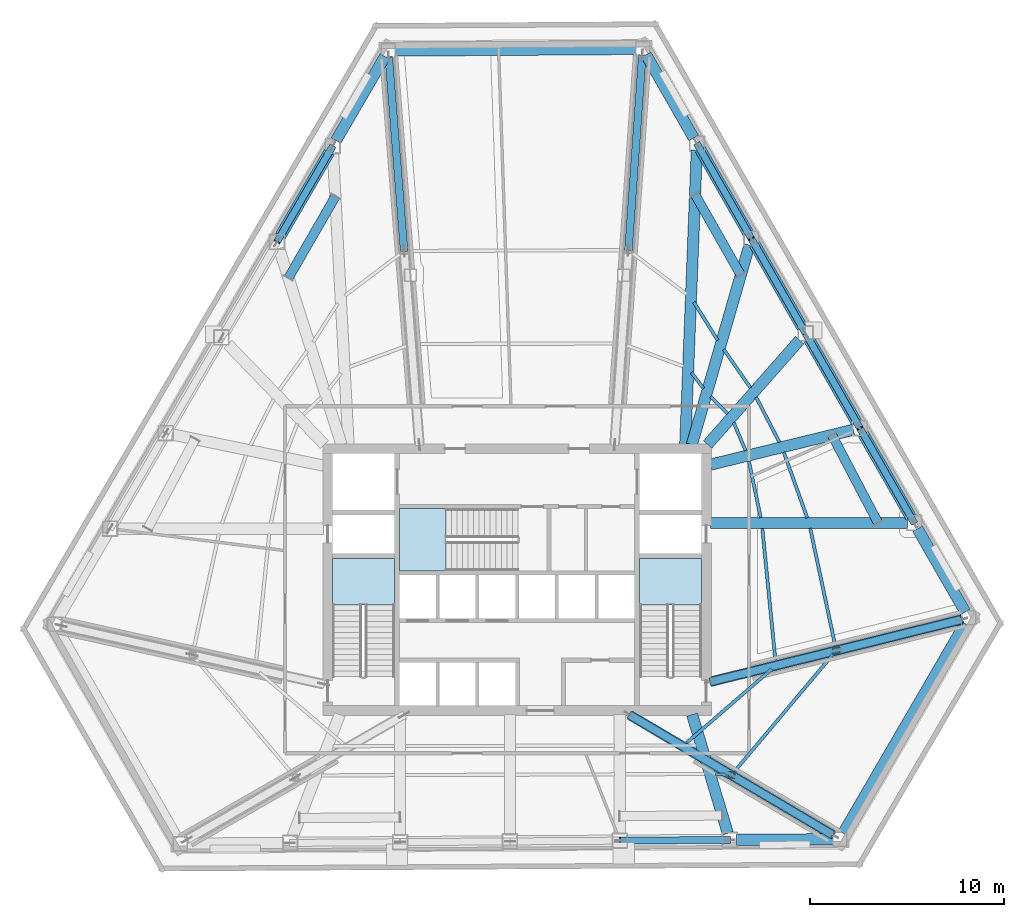
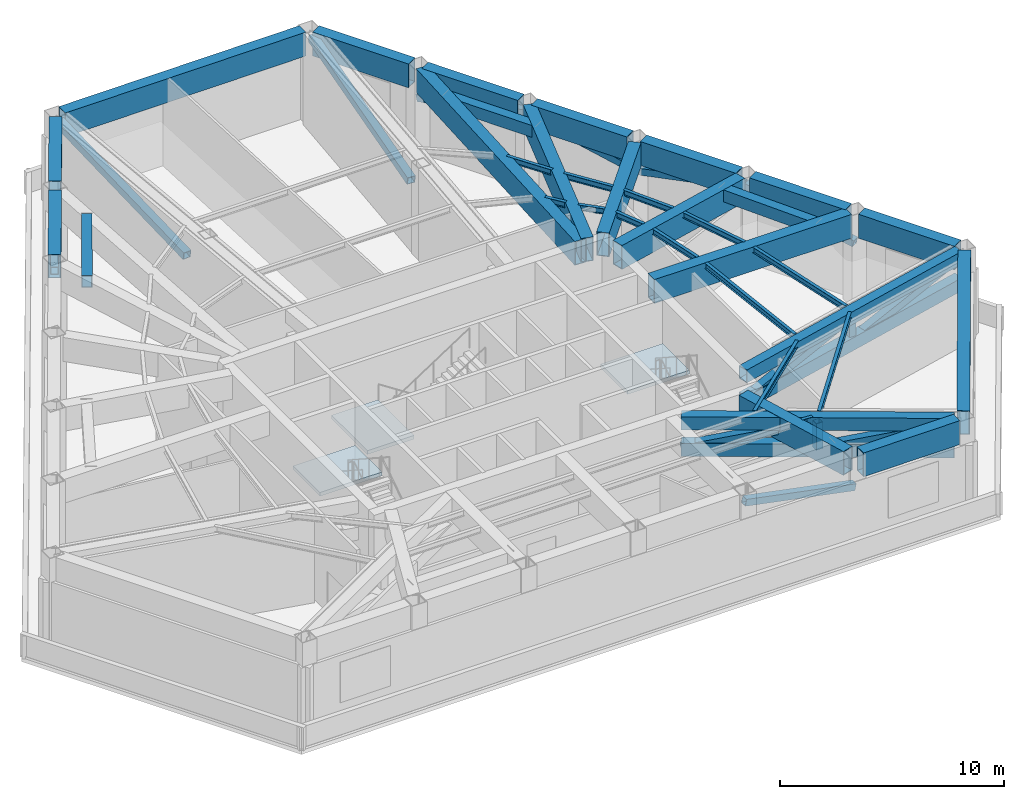
# One storey, part 3 of 12: 37 beams, 14 members, 3 slabs, 3 elements without a shape of their own.
"""IFC4 building model written with IfcOpenShell, lengths in metres."""

import ifcopenshell
import ifcopenshell.guid

model = None  # the IFC model being written
_history = None  # IfcOwnerHistory: only IFC2X3 demands one
_inside = {}  # id of a spatial element -> (the spatial element, [elements in it])
_under = {}  # id of a project, library or spatial element -> (it, [spatial elements below it])
_declared = {}  # id of a project -> (the project, [libraries it declares])
_typed = {}  # id of a type object -> (the type object, [elements of that type])
_made_of = {}  # id of a material, layer set ... -> (it, [elements and type objects made of it])


def new_model(schema):
    """Start an empty IFC model of exactly this schema.

    Asked for "IFC4X3", IfcOpenShell would pick the latest addendum, in which some entities
    have other attributes; the version numbers below select the first issue.
    IFC2X3 requires an IfcOwnerHistory on every rooted entity: one is made here for all.
    """
    global model, _history
    if schema == "IFC4X3":
        model = ifcopenshell.file(schema_version=(4, 3, 0, 0))
    else:
        model = ifcopenshell.file(schema=schema)
    _inside.clear()
    _under.clear()
    _declared.clear()
    _typed.clear()
    _made_of.clear()
    _history = None
    if model.schema == "IFC2X3":
        org = make("IfcOrganization", Name="unknown")
        user = make(
            "IfcPersonAndOrganization",
            ThePerson=make("IfcPerson", FamilyName="unknown"),
            TheOrganization=org,
        )
        app = make(
            "IfcApplication",
            ApplicationDeveloper=org,
            Version="unknown",
            ApplicationFullName="unknown",
            ApplicationIdentifier="unknown",
        )
        _history = make(
            "IfcOwnerHistory",
            OwningUser=user,
            OwningApplication=app,
            ChangeAction="ADDED",
            CreationDate=0,
        )
    return model


def make(cls, **values):
    """One entity of the class cls with the attributes given. An attribute that is None is left unset."""
    return model.create_entity(
        cls, **{name: value for name, value in values.items() if value is not None}
    )


def rooted(cls, **values):
    """An entity with a GlobalId (a new one), such as an element, a storey or a relation."""
    return make(cls, GlobalId=ifcopenshell.guid.new(), OwnerHistory=_history, **values)


def si_unit(unit_type, name, prefix=None):
    """IfcSIUnit, for example si_unit("LENGTHUNIT", "METRE", prefix="MILLI")."""
    return make("IfcSIUnit", UnitType=unit_type, Prefix=prefix, Name=name)


def assignment(units):
    """IfcUnitAssignment: the units of a project."""
    return None if units is None else make("IfcUnitAssignment", Units=units)


def point(xyz):
    """IfcCartesianPoint."""
    return None if xyz is None else make("IfcCartesianPoint", Coordinates=xyz)


def direction(xyz):
    """IfcDirection."""
    return None if xyz is None else make("IfcDirection", DirectionRatios=xyz)


def frame(location, z_axis=None, x_axis=None):
    """IfcAxis2Placement3D, a coordinate frame: its origin and axes. An axis left out is left unset."""
    return make(
        "IfcAxis2Placement3D",
        Location=point(location),
        Axis=direction(z_axis),
        RefDirection=direction(x_axis),
    )


def frame_2d(location, x_axis=None):
    """IfcAxis2Placement2D, a coordinate frame in the plane: its origin and x axis."""
    return make(
        "IfcAxis2Placement2D", Location=point(location), RefDirection=direction(x_axis)
    )


def origin():
    """The frame at (0, 0, 0) with its axes left unset."""
    return frame((0.0, 0.0, 0.0))


def origin_2d():
    """The frame at (0, 0) in the plane with its x axis left unset."""
    return frame_2d((0.0, 0.0))


def place(relative_to, where):
    """IfcLocalPlacement: puts the frame where relative to a parent placement (None: the world)."""
    return make(
        "IfcLocalPlacement", PlacementRelTo=relative_to, RelativePlacement=where
    )


def context(
    kind, dimensions, precision=None, world=None, true_north=None, identifier=None
):
    """IfcGeometricRepresentationContext, for example the 3D "Model" context."""
    return make(
        "IfcGeometricRepresentationContext",
        ContextIdentifier=identifier,
        ContextType=kind,
        CoordinateSpaceDimension=dimensions,
        Precision=precision,
        WorldCoordinateSystem=world,
        TrueNorth=true_north,
    )


def subcontext(parent, identifier, kind, view, scale=None):
    """IfcGeometricRepresentationSubContext, for example "Body" below "Model"."""
    return make(
        "IfcGeometricRepresentationSubContext",
        ContextIdentifier=identifier,
        ContextType=kind,
        ParentContext=parent,
        TargetScale=scale,
        TargetView=view,
    )


def project(units=None, contexts=None):
    """IfcProject with its units and contexts."""
    return rooted(
        "IfcProject",
        Name="project",
        RepresentationContexts=contexts,
        UnitsInContext=assignment(units),
    )


def spatial(cls, under=None, at=None, **own):
    """A site, building, storey or space (cls), placed at a placement, below another one or the project."""
    s = rooted(cls, ObjectPlacement=at, **own)
    if under is not None:
        _under.setdefault(under.id(), (under, []))[1].append(s)
    return s


def polyline(points):
    """IfcPolyline through the points."""
    return make("IfcPolyline", Points=[point(p) for p in points])


def profile(cls, at=None, kind="AREA", **sizes):
    """A parametric profile (cls). Its sizes go by their IFC names, for example OverallWidth=200.0."""
    return make(cls, ProfileType=kind, Position=at, **sizes)


def hollow_rectangle(**sizes):
    """IfcRectangleHollowProfileDef."""
    return profile("IfcRectangleHollowProfileDef", **sizes)


def i_section(**sizes):
    """IfcIShapeProfileDef."""
    return profile("IfcIShapeProfileDef", **sizes)


def outline(outer, holes=None, kind="AREA"):
    """IfcArbitraryClosedProfileDef: a profile drawn as a closed curve; with holes, ...WithVoids."""
    if holes is None:
        return make("IfcArbitraryClosedProfileDef", ProfileType=kind, OuterCurve=outer)
    return make(
        "IfcArbitraryProfileDefWithVoids",
        ProfileType=kind,
        OuterCurve=outer,
        InnerCurves=holes,
    )


def extrude(swept, where, along, depth):
    """IfcExtrudedAreaSolid: the profile swept, set in the frame where, extruded along a direction by depth."""
    return make(
        "IfcExtrudedAreaSolid",
        SweptArea=swept,
        Position=where,
        ExtrudedDirection=direction(along),
        Depth=depth,
    )


def shape(context_of_items, identifier, shape_type, items):
    """IfcShapeRepresentation: the items that make up one representation, for example the "Body"."""
    return make(
        "IfcShapeRepresentation",
        ContextOfItems=context_of_items,
        RepresentationIdentifier=identifier,
        RepresentationType=shape_type,
        Items=items,
    )


def material(Name=None, Category=None):
    """IfcMaterial."""
    return make("IfcMaterial", Name=Name, Category=Category)


def layer(
    of_material, thickness, ventilated=None, Name=None, Category=None, Priority=None
):
    """IfcMaterialLayer: one layer of a wall or slab, of a material (None: an air gap)."""
    return make(
        "IfcMaterialLayer",
        Material=of_material,
        LayerThickness=thickness,
        IsVentilated=ventilated,
        Name=Name,
        Category=Category,
        Priority=Priority,
    )


def layer_set(layers, Name=None):
    """IfcMaterialLayerSet."""
    return make("IfcMaterialLayerSet", MaterialLayers=layers, LayerSetName=Name)


def material_profile(
    of_material, cross_section, Name=None, Category=None, Priority=None
):
    """IfcMaterialProfile: a cross section and its material."""
    return make(
        "IfcMaterialProfile",
        Name=Name,
        Material=of_material,
        Profile=cross_section,
        Priority=Priority,
        Category=Category,
    )


def profile_set(profiles, Name=None, composite=None):
    """IfcMaterialProfileSet."""
    return make(
        "IfcMaterialProfileSet",
        Name=Name,
        MaterialProfiles=profiles,
        CompositeProfile=composite,
    )


def made_of(thing, what):
    """Note that an element or type object is made of a material, layer set ...; save() writes the relation."""
    if what is not None:
        _made_of.setdefault(what.id(), (what, []))[1].append(thing)
    return thing


def type_object(cls, material=None, **own):
    """A type object (cls), such as IfcWallType, which elements share."""
    return made_of(rooted(cls, **own), material)


def element(
    cls,
    number,
    at=None,
    inside=None,
    cuts=None,
    type_object=None,
    material=None,
    context=None,
    identifier="Body",
    shape_type=None,
    held_by="IfcProductDefinitionShape",
    body=None,
    shapes=None,
    **own,
):
    """One element of the class cls, such as IfcWall. Its Tag is "e" and its number.

    at: its placement. inside: the storey or other place that contains it. cuts: it is an
    opening in that element (IfcRelVoidsElement). A single representation is given by context,
    identifier, shape_type and body (its items); several are given by shapes. held_by: the class
    of the entity that holds the representations. save() writes the other relations.
    """
    e = rooted(cls, Tag="e%d" % number, ObjectPlacement=at, **own)
    if body is not None:
        shapes = [shape(context, identifier, shape_type, body)]
    if shapes is not None:
        e.Representation = make(held_by, Representations=shapes)
    if inside is not None:
        _inside.setdefault(inside.id(), (inside, []))[1].append(e)
    if cuts is not None:
        rooted(
            "IfcRelVoidsElement", RelatingBuildingElement=cuts, RelatedOpeningElement=e
        )
    if type_object is not None:
        _typed.setdefault(type_object.id(), (type_object, []))[1].append(e)
    return made_of(e, material)


def aggregate(whole, parts):
    """IfcRelAggregates: a whole, such as a stair, and the parts it consists of."""
    return rooted("IfcRelAggregates", RelatingObject=whole, RelatedObjects=parts)


def save(model, path):
    """Write the relations noted so far, then the file.

    IfcRelAggregates (storeys below a building ...), IfcRelContainedInSpatialStructure (elements
    in a storey), IfcRelDefinesByType, IfcRelAssociatesMaterial and IfcRelDeclares: one each for
    every whole, place, type object, material and project.
    """
    for whole, parts in _under.values():
        aggregate(whole, parts)
    for where, things in _inside.values():
        rooted(
            "IfcRelContainedInSpatialStructure",
            RelatedElements=things,
            RelatingStructure=where,
        )
    for kind, things in _typed.values():
        rooted("IfcRelDefinesByType", RelatedObjects=things, RelatingType=kind)
    for what, things in _made_of.values():
        rooted("IfcRelAssociatesMaterial", RelatedObjects=things, RelatingMaterial=what)
    for by, libraries in _declared.values():
        rooted("IfcRelDeclares", RelatingContext=by, RelatedDefinitions=libraries)
    model.write(path)


model = new_model("IFC4")

# Units and contexts
model_context = context("Model", 3, precision=1e-05, world=origin(), true_north=direction((0.0, 1.0)))
body_context = subcontext(model_context, "Body", "Model", "MODEL_VIEW")
ifc_project = project(units=[si_unit("LENGTHUNIT", "METRE"), si_unit("AREAUNIT", "SQUARE_METRE"), si_unit("VOLUMEUNIT", "CUBIC_METRE"), si_unit("PLANEANGLEUNIT", "RADIAN"), si_unit("MASSUNIT", "GRAM", prefix="KILO")], contexts=[model_context])

# Site, building, storey
site_placement = place(None, origin())
site = spatial("IfcSite", under=ifc_project, at=site_placement, CompositionType="ELEMENT")
building_placement = place(site_placement, origin())
building = spatial("IfcBuilding", under=site, at=building_placement, Name="Kavelnor Concourse Tower", CompositionType="ELEMENT")
storey_placement = place(building_placement, frame((0.0, 0.0, 75.300048828125)))
storey = spatial("IfcBuildingStorey", under=building, at=storey_placement, Name="L19", CompositionType="ELEMENT", Elevation=75.300048828125)

# Beams
ifc_material_1 = material(Name="Steel Grade 350", Category="steel")
ifc_material_profile_1 = material_profile(ifc_material_1, hollow_rectangle(XDim=0.47998046875, YDim=0.64990234375, WallThickness=0.030029296875, at=origin_2d()), Name="RHS 650x480x30")
ifc_profile_set_1 = profile_set([ifc_material_profile_1], Name="Steel Grade 350")
beam_type_1 = type_object("IfcBeamType", Name="BM-BELT-CHORD-650", PredefinedType="BEAM", material=ifc_profile_set_1)
beam_1_placement = place(storey_placement, frame((28.624267578125, 35.858154296875, 4.659912109375), z_axis=(-0.499303117258, -0.866427375547, 0.0), x_axis=(0.866427375547, -0.499303117258, 0.0)))
element("IfcBeam", 1, at=beam_1_placement, inside=storey, type_object=beam_type_1, Name="L19 Perimeter Belt Truss Chord F0-B1", PredefinedType="BEAM", context=body_context, shape_type="SweptSolid", body=[
    extrude(hollow_rectangle(XDim=0.47998046875, YDim=0.64990234375, WallThickness=0.030029296875, at=origin_2d()), origin(), (0.0, 0.0, 1.0), 4.83935546875),
])
beam_2_placement = place(storey_placement, frame((56.62255859375, 19.025634765625, 4.659912109375), z_axis=(-0.464774137786, 0.885429274897, 0.0), x_axis=(-0.885429274897, -0.464774137786, 0.0)))
element("IfcBeam", 2, at=beam_2_placement, inside=storey, type_object=beam_type_1, Name="L19 Perimeter Belt Truss Chord F2-B1", PredefinedType="BEAM", context=body_context, shape_type="SweptSolid", body=[
    extrude(hollow_rectangle(XDim=0.47998046875, YDim=0.64990234375, WallThickness=0.030029296875, at=origin_2d()), origin(), (0.0, 0.0, 1.0), 5.124267578125),
])
beam_3_placement = place(storey_placement, frame((49.5400390625, 31.811279296875, 4.659912109375), z_axis=(-0.493496952061, 0.869747525611, 0.0), x_axis=(-0.869747525611, -0.493496952061, 0.0)))
element("IfcBeam", 3, at=beam_3_placement, inside=storey, type_object=beam_type_1, Name="L19 Perimeter Belt Truss Chord F2-B4", PredefinedType="BEAM", context=body_context, shape_type="SweptSolid", body=[
    extrude(hollow_rectangle(XDim=0.47998046875, YDim=0.64990234375, WallThickness=0.030029296875, at=origin_2d()), origin(), (0.0, 0.0, 1.0), 4.781005859375),
])
ifc_material_profile_2 = material_profile(ifc_material_1, i_section(OverallWidth=0.166015625, OverallDepth=0.306884765625, WebThickness=0.006591796875, FlangeThickness=0.01171875, at=origin_2d()), Name="310UB46")
ifc_profile_set_2 = profile_set([ifc_material_profile_2], Name="Steel Grade 350")
beam_type_2 = type_object("IfcBeamType", Name="BM-JOIST-310", PredefinedType="JOIST", material=ifc_profile_set_2)
beam_4_placement = place(storey_placement, frame((48.233642578125, 6.0634765625, 4.83154296875), z_axis=(0.998614066756, -0.052630273396, 0.0), x_axis=(0.052630273396, 0.998614066756, 0.0)))
element("IfcBeam", 4, at=beam_4_placement, inside=storey, type_object=beam_type_2, Name="L19 Secondary Composite Joist 07-2", PredefinedType="JOIST", context=body_context, shape_type="SweptSolid", body=[
    extrude(i_section(OverallWidth=0.166015625, OverallDepth=0.306884765625, WebThickness=0.006591796875, FlangeThickness=0.01171875, at=origin_2d()), origin(), (0.0, 0.0, 1.0), 0.5380859375),
])
beam_5_placement = place(storey_placement, frame((46.752685546875, 7.694091796875, 4.83154296875), z_axis=(0.756443139434, 0.654059459685, 0.0), x_axis=(-0.654059459685, 0.756443139434, 0.0)))
element("IfcBeam", 5, at=beam_5_placement, inside=storey, type_object=beam_type_2, Name="L19 Secondary Composite Joist 08-1", PredefinedType="JOIST", context=body_context, shape_type="SweptSolid", body=[
    extrude(i_section(OverallWidth=0.166015625, OverallDepth=0.306884765625, WebThickness=0.006591796875, FlangeThickness=0.01171875, at=origin_2d()), origin(), (0.0, 0.0, 1.0), 5.796875),
])
beam_6_placement = place(storey_placement, frame((49.23779296875, 6.237548828125, 4.83154296875), z_axis=(0.644221205949, 0.764839223501, 0.0), x_axis=(-0.764839223501, 0.644221205949, 0.0)))
element("IfcBeam", 6, at=beam_6_placement, inside=storey, type_object=beam_type_2, Name="L19 Secondary Composite Joist 08-2", PredefinedType="JOIST", context=body_context, shape_type="SweptSolid", body=[
    extrude(i_section(OverallWidth=0.166015625, OverallDepth=0.306884765625, WebThickness=0.006591796875, FlangeThickness=0.01171875, at=origin_2d()), origin(), (0.0, 0.0, 1.0), 7.8291015625),
])
beam_7_placement = place(storey_placement, frame((51.324462890625, 11.953857421875, 4.83154296875), z_axis=(-0.098621473426, 0.995125019774, 0.0), x_axis=(-0.995125019774, -0.098621473426, 0.0)))
element("IfcBeam", 7, at=beam_7_placement, inside=storey, type_object=beam_type_2, Name="L19 Secondary Composite Joist 09-1", PredefinedType="JOIST", context=body_context, shape_type="SweptSolid", body=[
    extrude(i_section(OverallWidth=0.166015625, OverallDepth=0.306884765625, WebThickness=0.006591796875, FlangeThickness=0.01171875, at=origin_2d()), origin(), (0.0, 0.0, 1.0), 6.822509765625),
])
beam_8_placement = place(storey_placement, frame((54.4052734375, 12.720703125, 4.83154296875), z_axis=(-0.208086675943, 0.978110390138, 0.0), x_axis=(-0.978110390138, -0.208086675943, 0.0)))
element("IfcBeam", 8, at=beam_8_placement, inside=storey, type_object=beam_type_2, Name="L19 Secondary Composite Joist 09-2", PredefinedType="JOIST", context=body_context, shape_type="SweptSolid", body=[
    extrude(i_section(OverallWidth=0.166015625, OverallDepth=0.306884765625, WebThickness=0.006591796875, FlangeThickness=0.01171875, at=origin_2d()), origin(), (0.0, 0.0, 1.0), 6.161865234375),
])
beam_9_placement = place(storey_placement, frame((50.5654296875, 19.3037109375, 4.83154296875), z_axis=(-0.204970754982, 0.978768097969, 0.0), x_axis=(-0.978768097969, -0.204970754982, 0.0)))
element("IfcBeam", 9, at=beam_9_placement, inside=storey, type_object=beam_type_2, Name="L19 Secondary Composite Joist 10-1", PredefinedType="JOIST", context=body_context, shape_type="SweptSolid", body=[
    extrude(i_section(OverallWidth=0.166015625, OverallDepth=0.306884765625, WebThickness=0.006591796875, FlangeThickness=0.01171875, at=origin_2d()), origin(), (0.0, 0.0, 1.0), 2.982421875),
])
beam_10_placement = place(storey_placement, frame((52.968017578125, 19.29296875, 4.83154296875), z_axis=(-0.337411160953, 0.94135737553, 0.0), x_axis=(-0.94135737553, -0.337411160953, 0.0)))
element("IfcBeam", 10, at=beam_10_placement, inside=storey, type_object=beam_type_2, Name="L19 Secondary Composite Joist 10-2", PredefinedType="JOIST", context=body_context, shape_type="SweptSolid", body=[
    extrude(i_section(OverallWidth=0.166015625, OverallDepth=0.306884765625, WebThickness=0.006591796875, FlangeThickness=0.01171875, at=origin_2d()), origin(), (0.0, 0.0, 1.0), 3.582275390625),
])
beam_11_placement = place(storey_placement, frame((49.785400390625, 22.76220703125, 4.83154296875), z_axis=(-0.389619711039, 0.92097583072, 0.0), x_axis=(-0.92097583072, -0.389619711039, 0.0)))
element("IfcBeam", 11, at=beam_11_placement, inside=storey, type_object=beam_type_2, Name="L19 Secondary Composite Joist 11-1", PredefinedType="JOIST", context=body_context, shape_type="SweptSolid", body=[
    extrude(i_section(OverallWidth=0.166015625, OverallDepth=0.306884765625, WebThickness=0.006591796875, FlangeThickness=0.01171875, at=origin_2d()), origin(), (0.0, 0.0, 1.0), 1.57080078125),
])
beam_12_placement = place(storey_placement, frame((51.533203125, 23.18505859375, 4.83154296875), z_axis=(-0.45863104006, 0.888626788418, 0.0), x_axis=(-0.888626788418, -0.45863104006, 0.0)))
element("IfcBeam", 12, at=beam_12_placement, inside=storey, type_object=beam_type_2, Name="L19 Secondary Composite Joist 11-2", PredefinedType="JOIST", context=body_context, shape_type="SweptSolid", body=[
    extrude(i_section(OverallWidth=0.166015625, OverallDepth=0.306884765625, WebThickness=0.006591796875, FlangeThickness=0.01171875, at=origin_2d()), origin(), (0.0, 0.0, 1.0), 2.617431640625),
])
beam_13_placement = place(storey_placement, frame((48.861083984375, 24.670654296875, 4.83154296875), z_axis=(-0.709582102419, 0.704622764269, 0.0), x_axis=(-0.704622764269, -0.709582102419, 0.0)))
element("IfcBeam", 13, at=beam_13_placement, inside=storey, type_object=beam_type_2, Name="L19 Secondary Composite Joist 12-1", PredefinedType="JOIST", context=body_context, shape_type="SweptSolid", body=[
    extrude(i_section(OverallWidth=0.166015625, OverallDepth=0.306884765625, WebThickness=0.006591796875, FlangeThickness=0.01171875, at=origin_2d()), origin(), (0.0, 0.0, 1.0), 1.230712890625),
])
beam_14_placement = place(storey_placement, frame((50.040283203125, 25.996337890625, 4.83154296875), z_axis=(-0.571497405297, 0.820603872608, 0.0), x_axis=(-0.820603872608, -0.571497405297, 0.0)))
element("IfcBeam", 14, at=beam_14_placement, inside=storey, type_object=beam_type_2, Name="L19 Secondary Composite Joist 12-2", PredefinedType="JOIST", context=body_context, shape_type="SweptSolid", body=[
    extrude(i_section(OverallWidth=0.166015625, OverallDepth=0.306884765625, WebThickness=0.006591796875, FlangeThickness=0.01171875, at=origin_2d()), origin(), (0.0, 0.0, 1.0), 2.411865234375),
])
beam_15_placement = place(storey_placement, frame((47.615234375, 25.96484375, 4.83154296875), z_axis=(-0.601792892962, 0.798652185861, 0.0), x_axis=(-0.798652185861, -0.601792892962, 0.0)))
element("IfcBeam", 15, at=beam_15_placement, inside=storey, type_object=beam_type_2, Name="L19 Secondary Composite Joist 13-1", PredefinedType="JOIST", context=body_context, shape_type="SweptSolid", body=[
    extrude(i_section(OverallWidth=0.166015625, OverallDepth=0.306884765625, WebThickness=0.006591796875, FlangeThickness=0.01171875, at=origin_2d()), origin(), (0.0, 0.0, 1.0), 1.023193359375),
])
beam_16_placement = place(storey_placement, frame((48.34912109375, 28.449462890625, 4.83154296875), z_axis=(-0.529904146974, 0.848057542281, 0.0), x_axis=(-0.848057542281, -0.529904146974, 0.0)))
element("IfcBeam", 16, at=beam_16_placement, inside=storey, type_object=beam_type_2, Name="L19 Secondary Composite Joist 13-2", PredefinedType="JOIST", context=body_context, shape_type="SweptSolid", body=[
    extrude(i_section(OverallWidth=0.166015625, OverallDepth=0.306884765625, WebThickness=0.006591796875, FlangeThickness=0.01171875, at=origin_2d()), origin(), (0.0, 0.0, 1.0), 2.315185546875),
])
ifc_material_profile_3 = material_profile(ifc_material_1, hollow_rectangle(XDim=0.5, YDim=0.699951171875, WallThickness=0.031982421875, at=origin_2d()), Name="RHS 700x500x32")
ifc_profile_set_3 = profile_set([ifc_material_profile_3], Name="Steel Grade 350")
beam_type_3 = type_object("IfcBeamType", Name="BM-OUTRIG-CHORD-700", PredefinedType="BEAM", material=ifc_profile_set_3)
for number, where, z_axis, x_axis, name in (
    (17, (43.811279296875, 9.120361328125, 3.179931640625), (0.86080282492, -0.508938598074, 0.0), (0.508938598074, 0.86080282492, 0.0), "L19 Outrigger Truss Bottom Chord F1B"),
    (18, (43.811279296875, 9.120361328125, 4.625), (0.86080282492, -0.508938598074, 0.0), (0.508938598074, 0.86080282492, 0.0), "L19 Outrigger Truss Top Chord F1B"),
):
    element("IfcBeam", number, at=place(storey_placement, frame(where, z_axis=z_axis, x_axis=x_axis)), inside=storey, type_object=beam_type_3, Name=name, PredefinedType="BEAM", context=body_context, shape_type="SweptSolid", body=[
        extrude(hollow_rectangle(XDim=0.5, YDim=0.699951171875, WallThickness=0.031982421875, at=origin_2d()), origin(), (0.0, 0.0, 1.0), 12.1826171875),
    ])
for number, where, z_axis, x_axis, name in (
    (19, (47.981201171875, 10.835205078125, 3.179931640625), (0.97060405518, 0.240681881469, 0.0), (-0.240681881469, 0.97060405518, 0.0), "L19 Outrigger Truss Bottom Chord F2A"),
    (20, (47.981201171875, 10.835205078125, 4.625), (0.97060405518, 0.240681881469, 0.0), (-0.240681881469, 0.97060405518, 0.0), "L19 Outrigger Truss Top Chord F2A"),
):
    element("IfcBeam", number, at=place(storey_placement, frame(where, z_axis=z_axis, x_axis=x_axis)), inside=storey, type_object=beam_type_3, Name=name, PredefinedType="BEAM", context=body_context, shape_type="SweptSolid", body=[
        extrude(hollow_rectangle(XDim=0.5, YDim=0.699951171875, WallThickness=0.031982421875, at=origin_2d()), origin(), (0.0, 0.0, 1.0), 13.359375),
    ])
ifc_material_profile_4 = material_profile(ifc_material_1, hollow_rectangle(XDim=0.580078125, YDim=1.300048828125, WallThickness=0.0400390625, at=origin_2d()), Name="RHS 1300x580x40")
ifc_profile_set_4 = profile_set([ifc_material_profile_4], Name="Steel Grade 350")
beam_type_4 = type_object("IfcBeamType", Name="BM-SETBACK-XFER-1350", PredefinedType="BEAM", material=ifc_profile_set_4)
for number, where, z_axis, x_axis, name in (
    (21, (31.181396484375, 43.08984375, 4.3349609375), (-0.502938540526, -0.864322176305, 0.0), (0.864322176305, -0.502938540526, 0.0), "L19 Perimeter Tube Spandrel Beam F0-B0"),
    (22, (28.31201171875, 38.158447265625, 4.3349609375), (-0.502996065541, -0.864288700638, 0.0), (0.864288700638, -0.502996065541, 0.0), "L19 Perimeter Tube Spandrel Beam F0-B1"),
):
    element("IfcBeam", number, at=place(storey_placement, frame(where, z_axis=z_axis, x_axis=x_axis)), inside=storey, type_object=beam_type_4, Name=name, PredefinedType="BEAM", context=body_context, shape_type="SweptSolid", body=[
        extrude(hollow_rectangle(XDim=0.580078125, YDim=1.300048828125, WallThickness=0.0400390625, at=origin_2d()), origin(), (0.0, 0.0, 1.0), 5.015380859375),
    ])
beam_17_placement = place(storey_placement, frame((44.137451171875, 43.4755859375, 4.3349609375), z_axis=(-0.999976535058, -0.006850498797, 0.0), x_axis=(0.006850498797, -0.999976535058, 0.0)))
element("IfcBeam", 23, at=beam_17_placement, inside=storey, type_object=beam_type_4, Name="L19 Chamfer Facet Spandrel Beam C0", PredefinedType="BEAM", context=body_context, shape_type="SweptSolid", body=[
    extrude(hollow_rectangle(XDim=0.580078125, YDim=1.300048828125, WallThickness=0.0400390625, at=origin_2d()), origin(), (0.0, 0.0, 1.0), 12.437744140625),
])
beam_18_placement = place(storey_placement, frame((49.318115234375, 2.67919921875, 4.3349609375), z_axis=(0.999976454505, 0.006862247127, 0.0), x_axis=(-0.006862247127, 0.999976454505, 0.0)))
element("IfcBeam", 24, at=beam_18_placement, inside=storey, type_object=beam_type_4, Name="L19 Perimeter Tube Spandrel Beam F1-B5", PredefinedType="BEAM", context=body_context, shape_type="SweptSolid", body=[
    extrude(hollow_rectangle(XDim=0.580078125, YDim=1.300048828125, WallThickness=0.0400390625, at=origin_2d()), origin(), (0.0, 0.0, 1.0), 4.980712890625),
])
beam_19_placement = place(storey_placement, frame((61.117431640625, 14.4345703125, 4.3349609375), z_axis=(-0.497026436414, 0.867735398324, 0.0), x_axis=(-0.867735398324, -0.497026436414, 0.0)))
element("IfcBeam", 25, at=beam_19_placement, inside=storey, type_object=beam_type_4, Name="L19 Perimeter Tube Spandrel Beam F2-B0", PredefinedType="BEAM", context=body_context, shape_type="SweptSolid", body=[
    extrude(hollow_rectangle(XDim=0.580078125, YDim=1.300048828125, WallThickness=0.0400390625, at=origin_2d()), origin(), (0.0, 0.0, 1.0), 4.94580078125),
])
beam_20_placement = place(storey_placement, frame((58.31640625, 19.3251953125, 4.3349609375), z_axis=(-0.497010556612, 0.867744493855, 0.0), x_axis=(-0.867744493855, -0.497010556612, 0.0)))
element("IfcBeam", 26, at=beam_20_placement, inside=storey, type_object=beam_type_4, Name="L19 Perimeter Tube Spandrel Beam F2-B1", PredefinedType="BEAM", context=body_context, shape_type="SweptSolid", body=[
    extrude(hollow_rectangle(XDim=0.580078125, YDim=1.300048828125, WallThickness=0.0400390625, at=origin_2d()), origin(), (0.0, 0.0, 1.0), 4.945556640625),
])
for number, where, z_axis, x_axis, name in (
    (27, (55.515380859375, 24.215576171875, 4.3349609375), (-0.497047726407, 0.867723203374, 0.0), (-0.867723203374, -0.497047726407, 0.0), "L19 Perimeter Tube Spandrel Beam F2-B2"),
    (28, (52.714111328125, 29.10595703125, 4.3349609375), (-0.496989267168, 0.867756687281, 0.0), (-0.867756687281, -0.496989267168, 0.0), "L19 Perimeter Tube Spandrel Beam F2-B3"),
):
    element("IfcBeam", number, at=place(storey_placement, frame(where, z_axis=z_axis, x_axis=x_axis)), inside=storey, type_object=beam_type_4, Name=name, PredefinedType="BEAM", context=body_context, shape_type="SweptSolid", body=[
        extrude(hollow_rectangle(XDim=0.580078125, YDim=1.300048828125, WallThickness=0.0400390625, at=origin_2d()), origin(), (0.0, 0.0, 1.0), 4.94580078125),
    ])
beam_21_placement = place(storey_placement, frame((49.9130859375, 33.99658203125, 4.3349609375), z_axis=(-0.497010556612, 0.867744493855, 0.0), x_axis=(-0.867744493855, -0.497010556612, 0.0)))
element("IfcBeam", 29, at=beam_21_placement, inside=storey, type_object=beam_type_4, Name="L19 Perimeter Tube Spandrel Beam F2-B4", PredefinedType="BEAM", context=body_context, shape_type="SweptSolid", body=[
    extrude(hollow_rectangle(XDim=0.580078125, YDim=1.300048828125, WallThickness=0.0400390625, at=origin_2d()), origin(), (0.0, 0.0, 1.0), 4.945556640625),
])
beam_22_placement = place(storey_placement, frame((47.112060546875, 38.886962890625, 4.3349609375), z_axis=(-0.496989267168, 0.867756687281, 0.0), x_axis=(-0.867756687281, -0.496989267168, 0.0)))
element("IfcBeam", 30, at=beam_22_placement, inside=storey, type_object=beam_type_4, Name="L19 Perimeter Tube Spandrel Beam F2-B5", PredefinedType="BEAM", context=body_context, shape_type="SweptSolid", body=[
    extrude(hollow_rectangle(XDim=0.580078125, YDim=1.300048828125, WallThickness=0.0400390625, at=origin_2d()), origin(), (0.0, 0.0, 1.0), 4.94580078125),
])
beam_23_placement = place(storey_placement, frame((54.8173828125, 3.013916015625, 4.3349609375), z_axis=(0.50295793211, 0.864310892288, 0.0), x_axis=(-0.864310892288, 0.50295793211, 0.0)))
element("IfcBeam", 31, at=beam_23_placement, inside=storey, type_object=beam_type_4, Name="L19 Chamfer Facet Spandrel Beam C2", PredefinedType="BEAM", context=body_context, shape_type="SweptSolid", body=[
    extrude(hollow_rectangle(XDim=0.580078125, YDim=1.300048828125, WallThickness=0.0400390625, at=origin_2d()), origin(), (0.0, 0.0, 1.0), 12.522216796875),
])
beam_24_placement = place(storey_placement, frame((47.029541015625, 9.13818359375, 4.3349609375), z_axis=(0.288055802006, -0.957613625076, 0.0), x_axis=(0.957613625076, 0.288055802006, 0.0)))
element("IfcBeam", 32, at=beam_24_placement, inside=storey, type_object=beam_type_4, Name="L19 Primary Floor Girder F1-B5", PredefinedType="BEAM", context=body_context, shape_type="SweptSolid", body=[
    extrude(hollow_rectangle(XDim=0.580078125, YDim=1.300048828125, WallThickness=0.0400390625, at=origin_2d()), origin(), (0.0, 0.0, 1.0), 6.390380859375),
])
beam_25_placement = place(storey_placement, frame((47.97998046875, 19.025634765625, 4.3349609375), z_axis=(1.0, 0.0, 0.0), x_axis=(0.0, 1.0, 0.0)))
element("IfcBeam", 33, at=beam_25_placement, inside=storey, type_object=beam_type_4, Name="L19 Primary Floor Girder F2-B1", PredefinedType="BEAM", context=body_context, shape_type="SweptSolid", body=[
    extrude(hollow_rectangle(XDim=0.580078125, YDim=1.300048828125, WallThickness=0.0400390625, at=origin_2d()), origin(), (0.0, 0.0, 1.0), 10.167724609375),
])
beam_26_placement = place(storey_placement, frame((47.981201171875, 22.03271484375, 4.3349609375), z_axis=(0.971403958287, 0.237432832238, 0.0), x_axis=(-0.237432832238, 0.971403958287, 0.0)))
element("IfcBeam", 34, at=beam_26_placement, inside=storey, type_object=beam_type_4, Name="L19 Primary Floor Girder F2-B2", PredefinedType="BEAM", context=body_context, shape_type="SweptSolid", body=[
    extrude(hollow_rectangle(XDim=0.580078125, YDim=1.300048828125, WallThickness=0.0400390625, at=origin_2d()), origin(), (0.0, 0.0, 1.0), 7.581298828125),
])
beam_27_placement = place(storey_placement, frame((47.827880859375, 23.070068359375, 4.3349609375), z_axis=(0.661347234196, 0.750079886293, 0.0), x_axis=(-0.750079886293, 0.661347234196, 0.0)))
element("IfcBeam", 35, at=beam_27_placement, inside=storey, type_object=beam_type_4, Name="L19 Primary Floor Girder F2-B3", PredefinedType="BEAM", context=body_context, shape_type="SweptSolid", body=[
    extrude(hollow_rectangle(XDim=0.580078125, YDim=1.300048828125, WallThickness=0.0400390625, at=origin_2d()), origin(), (0.0, 0.0, 1.0), 7.18115234375),
])
beam_28_placement = place(storey_placement, frame((47.01318359375, 23.0615234375, 4.3349609375), z_axis=(0.277461605132, 0.960736726516, 0.0), x_axis=(-0.960736726516, 0.277461605132, 0.0)))
element("IfcBeam", 36, at=beam_28_placement, inside=storey, type_object=beam_type_4, Name="L19 Primary Floor Girder F2-B4", PredefinedType="BEAM", context=body_context, shape_type="SweptSolid", body=[
    extrude(hollow_rectangle(XDim=0.580078125, YDim=1.300048828125, WallThickness=0.0400390625, at=origin_2d()), origin(), (0.0, 0.0, 1.0), 10.714599609375),
])
beam_29_placement = place(storey_placement, frame((46.67333984375, 23.06005859375, 4.3349609375), z_axis=(0.039273304039, 0.999228506194, 0.0), x_axis=(-0.999228506194, 0.039273304039, 0.0)))
element("IfcBeam", 37, at=beam_29_placement, inside=storey, type_object=beam_type_4, Name="L19 Primary Floor Girder F2-B5", PredefinedType="BEAM", context=body_context, shape_type="SweptSolid", body=[
    extrude(hollow_rectangle(XDim=0.580078125, YDim=1.300048828125, WallThickness=0.0400390625, at=origin_2d()), origin(), (0.0, 0.0, 1.0), 15.19921875),
])

# Members
ifc_material_profile_5 = material_profile(ifc_material_1, hollow_rectangle(XDim=0.360107421875, YDim=0.360107421875, WallThickness=0.02197265625, at=origin_2d()), Name="SHS 360x360x22")
ifc_profile_set_5 = profile_set([ifc_material_profile_5], Name="Steel Grade 350")
member_type_1 = type_object("IfcMemberType", Name="MBR-BELT-DIAG-360", PredefinedType="BRACE", material=ifc_profile_set_5)
member_1_placement = place(storey_placement, frame((28.485595703125, 38.456787109375, 3.179931640625), z_axis=(-0.492953273698, -0.847129757991, 0.198414321751), x_axis=(0.864313841643, -0.50295286374, 0.0)))
element("IfcMember", 38, at=member_1_placement, inside=storey, type_object=member_type_1, Name="L19 Perimeter Belt Truss Diagonal F0-B1", PredefinedType="BRACE", context=body_context, shape_type="SweptSolid", body=[
    extrude(hollow_rectangle(XDim=0.360107421875, YDim=0.360107421875, WallThickness=0.02197265625, at=origin_2d()), origin(), (0.0, 0.0, 1.0), 5.8212890625),
])
member_2_placement = place(storey_placement, frame((48.97314453125, 2.677001953125, 3.179931640625), z_axis=(-0.979857741271, -0.006749784243, 0.199582682824), x_axis=(0.006888371463, -0.999976274888, 0.0)))
element("IfcMember", 39, at=member_2_placement, inside=storey, type_object=member_type_1, Name="L19 Perimeter Belt Truss Diagonal F1-B4", PredefinedType="BRACE", context=body_context, shape_type="SweptSolid", body=[
    extrude(hollow_rectangle(XDim=0.360107421875, YDim=0.360107421875, WallThickness=0.02197265625, at=origin_2d()), origin(), (0.0, 0.0, 1.0), 5.787109375),
])
member_3_placement = place(storey_placement, frame((58.48779296875, 19.025634765625, 3.179931640625), z_axis=(-0.486873177796, 0.850086594406, 0.200766757095), x_axis=(-0.867754890196, -0.496992404913, 0.0)))
element("IfcMember", 40, at=member_3_placement, inside=storey, type_object=member_type_1, Name="L19 Perimeter Belt Truss Diagonal F2-B1", PredefinedType="BRACE", context=body_context, shape_type="SweptSolid", body=[
    extrude(hollow_rectangle(XDim=0.360107421875, YDim=0.360107421875, WallThickness=0.02197265625, at=origin_2d()), origin(), (0.0, 0.0, 1.0), 5.753173828125),
])
for number, where, z_axis, x_axis, name in (
    (41, (52.8857421875, 28.806640625, 3.179931640625), (0.486890742084, -0.850074823906, 0.200773999895), (0.867744189876, 0.497011087337, 0.0), "L19 Perimeter Belt Truss Diagonal F2-B2"),
    (42, (52.8857421875, 28.806640625, 3.179931640625), (-0.486890742084, 0.850074823906, 0.200773999895), (-0.867744189876, -0.497011087337, 0.0), "L19 Perimeter Belt Truss Diagonal F2-B3"),
):
    element("IfcMember", number, at=place(storey_placement, frame(where, z_axis=z_axis, x_axis=x_axis)), inside=storey, type_object=member_type_1, Name=name, PredefinedType="BRACE", context=body_context, shape_type="SweptSolid", body=[
        extrude(hollow_rectangle(XDim=0.360107421875, YDim=0.360107421875, WallThickness=0.02197265625, at=origin_2d()), origin(), (0.0, 0.0, 1.0), 5.7529296875),
    ])
member_4_placement = place(storey_placement, frame((47.28369140625, 38.587646484375, 3.179931640625), z_axis=(0.486873177796, -0.850086594406, 0.200766757095), x_axis=(0.867754890196, 0.496992404913, 0.0)))
element("IfcMember", 43, at=member_4_placement, inside=storey, type_object=member_type_1, Name="L19 Perimeter Belt Truss Diagonal F2-B4", PredefinedType="BRACE", context=body_context, shape_type="SweptSolid", body=[
    extrude(hollow_rectangle(XDim=0.360107421875, YDim=0.360107421875, WallThickness=0.02197265625, at=origin_2d()), origin(), (0.0, 0.0, 1.0), 5.753173828125),
])
ifc_material_profile_6 = material_profile(ifc_material_1, hollow_rectangle(XDim=0.39990234375, YDim=0.39990234375, WallThickness=0.02490234375, at=origin_2d()), Name="SHS 400x400x25")
ifc_profile_set_6 = profile_set([ifc_material_profile_6], Name="Steel Grade 350")
member_type_2 = type_object("IfcMemberType", Name="MBR-OUTRIG-DIAG-400", PredefinedType="BRACE", material=ifc_profile_set_6)
member_5_placement = place(storey_placement, frame((32.1728515625, 33.053955078125, 3.179931640625), z_axis=(-0.078095954241, 0.986684532975, 0.142669738627), x_axis=(-0.996882289921, -0.078903105395, 0.0)))
element("IfcMember", 44, at=member_5_placement, inside=storey, type_object=member_type_2, Name="L19 Outrigger Truss Outer Diagonal F0A", PredefinedType="BRACE", context=body_context, shape_type="SweptSolid", body=[
    extrude(hollow_rectangle(XDim=0.39990234375, YDim=0.39990234375, WallThickness=0.02490234375, at=origin_2d()), origin(), (0.0, 0.0, 1.0), 10.128662109375),
])
for number, where, z_axis, x_axis, name in (
    (45, (43.811279296875, 9.120361328125, 3.179931640625), (0.837556440621, -0.495194472366, 0.230828168368), (0.508938598074, 0.86080282492, 0.0), "L19 Outrigger Truss Inner Diagonal F1B"),
    (46, (49.0546875, 6.020263671875, 3.179931640625), (0.837556440621, -0.495194472366, 0.230828168368), (0.508938598074, 0.86080282492, 0.0), "L19 Outrigger Truss Outer Diagonal F1B"),
):
    element("IfcMember", number, at=place(storey_placement, frame(where, z_axis=z_axis, x_axis=x_axis)), inside=storey, type_object=member_type_2, Name=name, PredefinedType="BRACE", context=body_context, shape_type="SweptSolid", body=[
        extrude(hollow_rectangle(XDim=0.39990234375, YDim=0.39990234375, WallThickness=0.02490234375, at=origin_2d()), origin(), (0.0, 0.0, 1.0), 6.26025390625),
    ])
member_6_placement = place(storey_placement, frame((47.981201171875, 10.835205078125, 3.179931640625), z_axis=(0.948656187529, 0.235243871018, 0.2114515524), x_axis=(-0.24068615071, 0.970602996522, 0.0)))
element("IfcMember", 47, at=member_6_placement, inside=storey, type_object=member_type_2, Name="L19 Outrigger Truss Inner Diagonal F2A", PredefinedType="BRACE", context=body_context, shape_type="SweptSolid", body=[
    extrude(hollow_rectangle(XDim=0.39990234375, YDim=0.39990234375, WallThickness=0.02490234375, at=origin_2d()), origin(), (0.0, 0.0, 1.0), 6.833984375),
])
member_7_placement = place(storey_placement, frame((54.46435546875, 12.44287109375, 3.179931640625), z_axis=(0.948659761605, 0.235235898862, 0.211444386539), x_axis=(-0.240677612376, 0.970605113783, 0.0)))
element("IfcMember", 48, at=member_7_placement, inside=storey, type_object=member_type_2, Name="L19 Outrigger Truss Outer Diagonal F2A", PredefinedType="BRACE", context=body_context, shape_type="SweptSolid", body=[
    extrude(hollow_rectangle(XDim=0.39990234375, YDim=0.39990234375, WallThickness=0.02490234375, at=origin_2d()), origin(), (0.0, 0.0, 1.0), 6.834228515625),
])
member_8_placement = place(storey_placement, frame((43.74560546875, 33.09912109375, 3.179931640625), z_axis=(0.070115912812, 0.987361718807, 0.142128797238), x_axis=(-0.997488045177, 0.070835017678, 0.0)))
element("IfcMember", 49, at=member_8_placement, inside=storey, type_object=member_type_2, Name="L19 Outrigger Truss Outer Diagonal F2B", PredefinedType="BRACE", context=body_context, shape_type="SweptSolid", body=[
    extrude(hollow_rectangle(XDim=0.39990234375, YDim=0.39990234375, WallThickness=0.02490234375, at=origin_2d()), origin(), (0.0, 0.0, 1.0), 10.167236328125),
])
ifc_material_profile_7 = material_profile(ifc_material_1, hollow_rectangle(XDim=0.340087890625, YDim=0.340087890625, WallThickness=0.02001953125, at=origin_2d()), Name="SHS 340x340x20")
ifc_profile_set_7 = profile_set([ifc_material_profile_7], Name="Steel Grade 350")
member_type_3 = type_object("IfcMemberType", Name="MBR-TRUSS-POST-340", PredefinedType="POST", material=ifc_profile_set_7)
for number, where, z_axis, x_axis, name in (
    (50, (49.0546875, 6.020263671875, 3.179931640625), (0.0, 0.0, 1.0), (1.0, 0.0, 0.0), "L19 Outrigger Truss Web Post F1B"),
    (51, (54.46435546875, 12.44287109375, 3.179931640625), (0.0, 0.0, 1.0), (1.0, 0.0, 0.0), "L19 Outrigger Truss Web Post F2A"),
):
    element("IfcMember", number, at=place(storey_placement, frame(where, z_axis=z_axis, x_axis=x_axis)), inside=storey, type_object=member_type_3, Name=name, PredefinedType="POST", context=body_context, shape_type="SweptSolid", body=[
        extrude(hollow_rectangle(XDim=0.340087890625, YDim=0.340087890625, WallThickness=0.02001953125, at=origin_2d()), origin(), (0.0, 0.0, 1.0), 1.445068359375),
    ])

# Stair, slab
ifc_material_2 = material(Name="Concrete C40/50", Category="concrete")
stair_type = type_object("IfcStairType", Name="STR-CORE-1500", PredefinedType="HALF_TURN_STAIR", material=ifc_material_2)
stair_1_placement = place(storey_placement, origin())
stair_1 = element("IfcStair", 52, at=stair_1_placement, inside=storey, type_object=stair_type, Name="L19 ST1", PredefinedType="HALF_TURN_STAIR")
ifc_layer = layer(ifc_material_2, 0.199951171875, Name="Concrete C40/50")
ifc_layer_set = layer_set([ifc_layer], Name="Concrete C40/50")
slab_type = type_object("IfcSlabType", Name="SLB-LANDING-200", PredefinedType="LANDING", material=ifc_layer_set)
slab_1_placement = place(storey_placement, frame((0.0, 0.0, 2.39990234375)))
slab_1 = element("IfcSlab", 53, at=slab_1_placement, type_object=slab_type, Name="ST1 landing 1", PredefinedType="LANDING", context=body_context, shape_type="SweptSolid", body=[
    extrude(outline(polyline([(31.679931640625, 14.804931640625), (31.679931640625, 17.199951171875), (28.47998046875, 17.199951171875), (28.47998046875, 14.804931640625), (31.679931640625, 14.804931640625)])), origin(), (0.0, 0.0, 1.0), 0.199951171875),
])
aggregate(stair_1, [slab_1])

stair_2_placement = place(storey_placement, origin())
stair_2 = element("IfcStair", 54, at=stair_2_placement, inside=storey, type_object=stair_type, Name="L19 ST2", PredefinedType="HALF_TURN_STAIR")
slab_2_placement = place(storey_placement, frame((0.0, 0.0, 2.39990234375)))
slab_2 = element("IfcSlab", 55, at=slab_2_placement, type_object=slab_type, Name="ST2 landing 1", PredefinedType="LANDING", context=body_context, shape_type="SweptSolid", body=[
    extrude(outline(polyline([(47.52001953125, 14.804931640625), (47.52001953125, 17.199951171875), (44.320068359375, 17.199951171875), (44.320068359375, 14.804931640625), (47.52001953125, 14.804931640625)])), origin(), (0.0, 0.0, 1.0), 0.199951171875),
])
aggregate(stair_2, [slab_2])

stair_3_placement = place(storey_placement, origin())
stair_3 = element("IfcStair", 56, at=stair_3_placement, inside=storey, type_object=stair_type, Name="L19 ST3", PredefinedType="HALF_TURN_STAIR")
slab_3_placement = place(storey_placement, frame((0.0, 0.0, 2.39990234375)))
slab_3 = element("IfcSlab", 57, at=slab_3_placement, type_object=slab_type, Name="ST3 landing 1", PredefinedType="LANDING", context=body_context, shape_type="SweptSolid", body=[
    extrude(outline(polyline([(34.3349609375, 19.760009765625), (31.93994140625, 19.760009765625), (31.93994140625, 16.56005859375), (34.3349609375, 16.56005859375), (34.3349609375, 19.760009765625)])), origin(), (0.0, 0.0, 1.0), 0.199951171875),
])
aggregate(stair_3, [slab_3])

save(model, "model.ifc")
